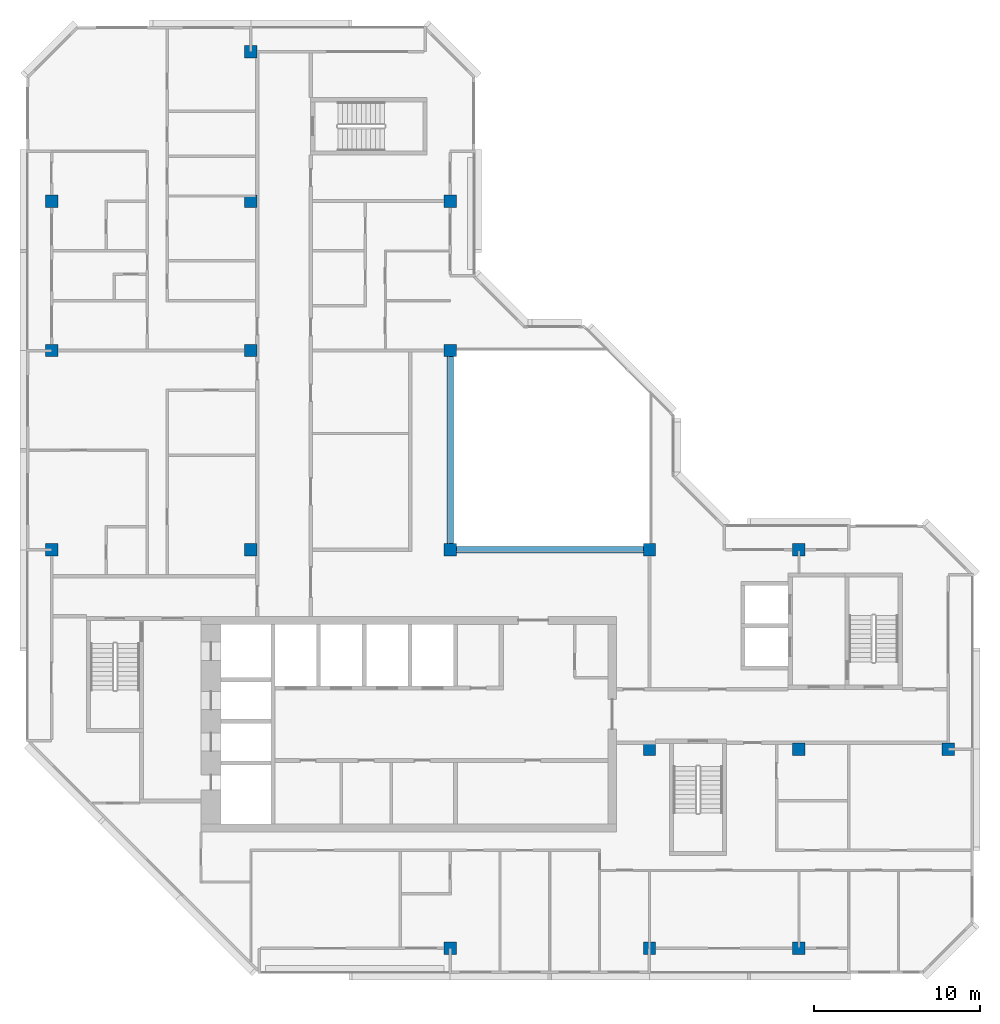
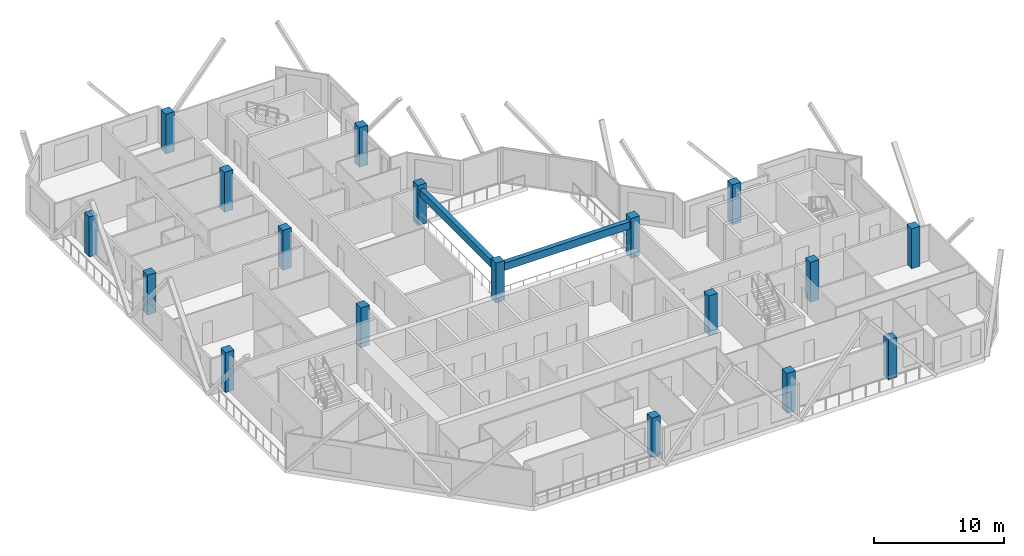
# One storey, part 1 of 12: 18 columns, 2 beams.
"""IFC4 building model written with IfcOpenShell, lengths in metres."""

from ifc_helpers import new_model, si_unit, direction, frame, origin, origin_2d, place, context, subcontext, project, spatial, rectangle, extrude, material, material_profile, profile_set, type_object, element, save


model = new_model("IFC4")

# Units and contexts
model_context = context("Model", 3, precision=1e-05, world=origin(), true_north=direction((0.0, 1.0)))
body_context = subcontext(model_context, "Body", "Model", "MODEL_VIEW")
ifc_project = project(units=[si_unit("LENGTHUNIT", "METRE"), si_unit("AREAUNIT", "SQUARE_METRE"), si_unit("VOLUMEUNIT", "CUBIC_METRE"), si_unit("PLANEANGLEUNIT", "RADIAN"), si_unit("MASSUNIT", "GRAM", prefix="KILO")], contexts=[model_context])

# Site, building, storey
site_placement = place(None, origin())
site = spatial("IfcSite", under=ifc_project, at=site_placement, CompositionType="ELEMENT")
building_placement = place(site_placement, origin())
building = spatial("IfcBuilding", under=site, at=building_placement, Name="Chenar Terraces", CompositionType="ELEMENT")
storey_placement = place(building_placement, frame((0.0, 0.0, 346.39990234375)))
storey = spatial("IfcBuildingStorey", under=building, at=storey_placement, Name="L80", CompositionType="ELEMENT", Elevation=346.39990234375)

# Columns
ifc_material_1 = material(Name="Concrete C50/60", Category="concrete")
ifc_material_profile_1 = material_profile(ifc_material_1, rectangle(XDim=0.75, YDim=0.75, at=origin_2d()), Name="C 750 x 750")
ifc_profile_set_1 = profile_set([ifc_material_profile_1], Name="Concrete C50/60")
column_type = type_object("IfcColumnType", Name="Column C 750 x 750 Concrete C50/60", PredefinedType="COLUMN", material=ifc_profile_set_1)
column_1_placement = place(storey_placement, frame((0.0, 24.0, 0.0), z_axis=(0.0, 0.0, 1.0), x_axis=(1.0, 0.0, 0.0)))
element("IfcColumn", 1, at=column_1_placement, inside=storey, type_object=column_type, Name="Column 5/G L80", PredefinedType="COLUMN", context=body_context, shape_type="SweptSolid", body=[
    extrude(rectangle(XDim=0.75, YDim=0.75, at=origin_2d()), origin(), (0.0, 0.0, 1.0), 3.75),
])
column_2_placement = place(storey_placement, frame((0.0, 36.0, 0.0), z_axis=(0.0, 0.0, 1.0), x_axis=(1.0, 0.0, 0.0)))
element("IfcColumn", 2, at=column_2_placement, inside=storey, type_object=column_type, Name="Column 5/H L80", PredefinedType="COLUMN", context=body_context, shape_type="SweptSolid", body=[
    extrude(rectangle(XDim=0.75, YDim=0.75, at=origin_2d()), origin(), (0.0, 0.0, 1.0), 3.75),
])
for number, where, z_axis, x_axis, name in (
    (3, (0.0, 45.0, 0.0), (0.0, 0.0, 1.0), (1.0, 0.0, 0.0), "Column 5/J L80"),
    (4, (12.0, 24.0, 0.0), (0.0, 0.0, 1.0), (1.0, 0.0, 0.0), "Column 6/G L80"),
    (5, (12.0, 36.0, 0.0), (0.0, 0.0, 1.0), (1.0, 0.0, 0.0), "Column 6/H L80"),
    (6, (12.0, 45.0, 0.0), (0.0, 0.0, 1.0), (1.0, 0.0, 0.0), "Column 6/J L80"),
    (7, (12.0, 54.0, 0.0), (0.0, 0.0, 1.0), (1.0, 0.0, 0.0), "Column 6/K L80"),
    (8, (24.0, 0.0, 0.0), (0.0, 0.0, 1.0), (1.0, 0.0, 0.0), "Column 7/E L80"),
    (9, (24.0, 24.0, 0.0), (0.0, 0.0, 1.0), (1.0, 0.0, 0.0), "Column 7/G L80"),
    (10, (24.0, 36.0, 0.0), (0.0, 0.0, 1.0), (1.0, 0.0, 0.0), "Column 7/H L80"),
    (11, (24.0, 45.0, 0.0), (0.0, 0.0, 1.0), (1.0, 0.0, 0.0), "Column 7/J L80"),
    (12, (36.0, 0.0, 0.0), (0.0, 0.0, 1.0), (1.0, 0.0, 0.0), "Column 8/E L80"),
    (13, (36.0, 12.0, 0.0), (0.0, 0.0, 1.0), (1.0, 0.0, 0.0), "Column 8/F L80"),
    (14, (36.0, 24.0, 0.0), (0.0, 0.0, 1.0), (1.0, 0.0, 0.0), "Column 8/G L80"),
    (15, (45.0, 0.0, 0.0), (0.0, 0.0, 1.0), (1.0, 0.0, 0.0), "Column 9/E L80"),
    (16, (45.0, 12.0, 0.0), (0.0, 0.0, 1.0), (1.0, 0.0, 0.0), "Column 9/F L80"),
    (17, (45.0, 24.0, 0.0), (0.0, 0.0, 1.0), (1.0, 0.0, 0.0), "Column 9/G L80"),
    (18, (54.0, 12.0, 0.0), (0.0, 0.0, 1.0), (1.0, 0.0, 0.0), "Column 10/F L80"),
):
    element("IfcColumn", number, at=place(storey_placement, frame(where, z_axis=z_axis, x_axis=x_axis)), inside=storey, type_object=column_type, Name=name, PredefinedType="COLUMN", context=body_context, shape_type="SweptSolid", body=[
        extrude(rectangle(XDim=0.75, YDim=0.75, at=origin_2d()), origin(), (0.0, 0.0, 1.0), 3.75),
    ])

# Beams
ifc_material_2 = material(Name="Concrete C40/50", Category="concrete")
ifc_material_profile_2 = material_profile(ifc_material_2, rectangle(XDim=0.39990234375, YDim=0.699951171875, at=origin_2d()), Name="RC 400 x 700")
ifc_profile_set_2 = profile_set([ifc_material_profile_2], Name="Concrete C40/50")
beam_type = type_object("IfcBeamType", Name="Atrium edge beam 400 x 700 Concrete C40/50", PredefinedType="BEAM", material=ifc_profile_set_2)
for number, where, z_axis, x_axis, name in (
    (19, (24.375, 24.0, 3.0), (1.0, 0.0, 0.0), (0.0, 1.0, 0.0), "Atrium edge beam L81 1"),
    (20, (24.0, 35.625, 3.0), (0.0, -1.0, 0.0), (1.0, 0.0, 0.0), "Atrium edge beam L81 4"),
):
    element("IfcBeam", number, at=place(storey_placement, frame(where, z_axis=z_axis, x_axis=x_axis)), inside=storey, type_object=beam_type, Name=name, PredefinedType="BEAM", context=body_context, shape_type="SweptSolid", body=[
        extrude(rectangle(XDim=0.39990234375, YDim=0.699951171875, at=origin_2d()), origin(), (0.0, 0.0, 1.0), 11.25),
    ])

save(model, "model.ifc")
